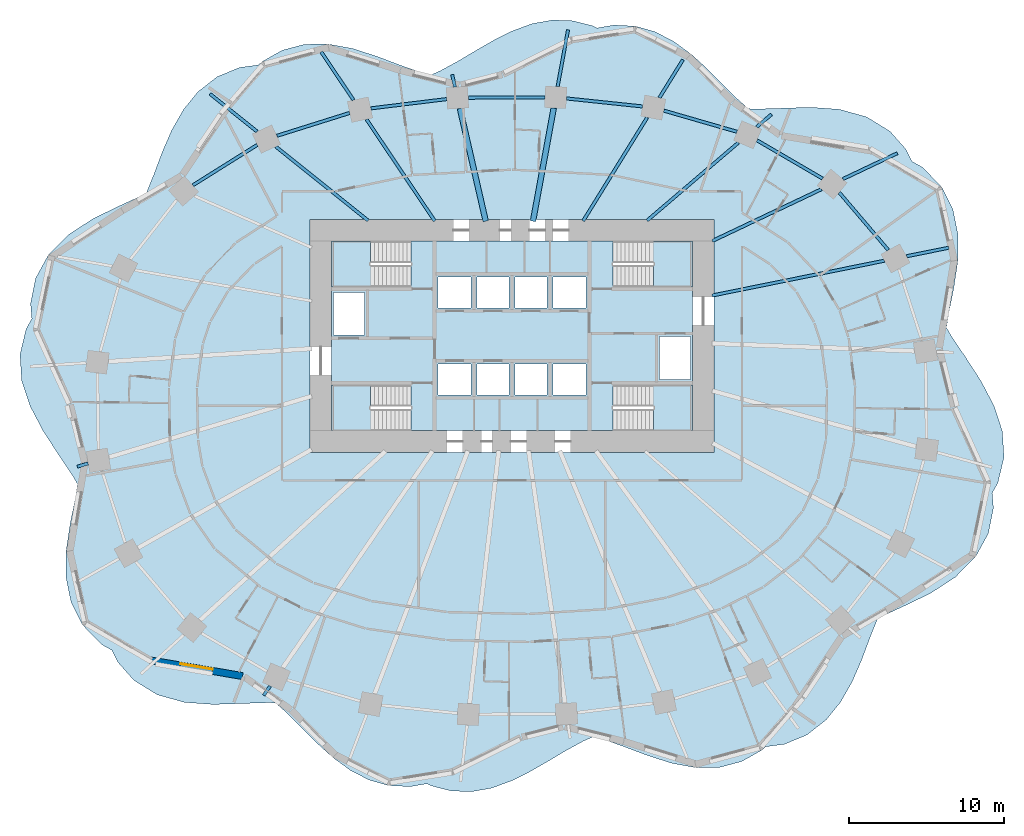
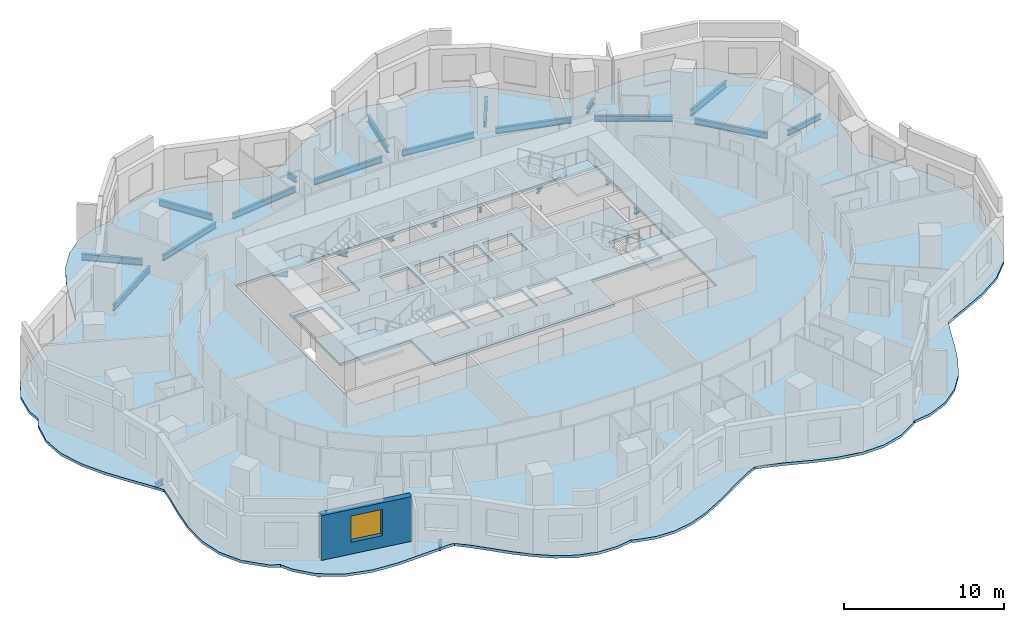
# One storey, part 2 of 11: 26 beams, 6 slabs, 1 wall, 1 window, 1 opening, 4 elements without a shape of their own.
"""IFC4 building model written with IfcOpenShell, lengths in metres."""

import ifcopenshell
import ifcopenshell.guid

model = None  # the IFC model being written
_history = None  # IfcOwnerHistory: only IFC2X3 demands one
_inside = {}  # id of a spatial element -> (the spatial element, [elements in it])
_under = {}  # id of a project, library or spatial element -> (it, [spatial elements below it])
_declared = {}  # id of a project -> (the project, [libraries it declares])
_typed = {}  # id of a type object -> (the type object, [elements of that type])
_made_of = {}  # id of a material, layer set ... -> (it, [elements and type objects made of it])


def new_model(schema):
    """Start an empty IFC model of exactly this schema.

    Asked for "IFC4X3", IfcOpenShell would pick the latest addendum, in which some entities
    have other attributes; the version numbers below select the first issue.
    IFC2X3 requires an IfcOwnerHistory on every rooted entity: one is made here for all.
    """
    global model, _history
    if schema == "IFC4X3":
        model = ifcopenshell.file(schema_version=(4, 3, 0, 0))
    else:
        model = ifcopenshell.file(schema=schema)
    _inside.clear()
    _under.clear()
    _declared.clear()
    _typed.clear()
    _made_of.clear()
    _history = None
    if model.schema == "IFC2X3":
        org = make("IfcOrganization", Name="unknown")
        user = make(
            "IfcPersonAndOrganization",
            ThePerson=make("IfcPerson", FamilyName="unknown"),
            TheOrganization=org,
        )
        app = make(
            "IfcApplication",
            ApplicationDeveloper=org,
            Version="unknown",
            ApplicationFullName="unknown",
            ApplicationIdentifier="unknown",
        )
        _history = make(
            "IfcOwnerHistory",
            OwningUser=user,
            OwningApplication=app,
            ChangeAction="ADDED",
            CreationDate=0,
        )
    return model


def make(cls, **values):
    """One entity of the class cls with the attributes given. An attribute that is None is left unset."""
    return model.create_entity(
        cls, **{name: value for name, value in values.items() if value is not None}
    )


def rooted(cls, **values):
    """An entity with a GlobalId (a new one), such as an element, a storey or a relation."""
    return make(cls, GlobalId=ifcopenshell.guid.new(), OwnerHistory=_history, **values)


def si_unit(unit_type, name, prefix=None):
    """IfcSIUnit, for example si_unit("LENGTHUNIT", "METRE", prefix="MILLI")."""
    return make("IfcSIUnit", UnitType=unit_type, Prefix=prefix, Name=name)


def assignment(units):
    """IfcUnitAssignment: the units of a project."""
    return None if units is None else make("IfcUnitAssignment", Units=units)


def point(xyz):
    """IfcCartesianPoint."""
    return None if xyz is None else make("IfcCartesianPoint", Coordinates=xyz)


def direction(xyz):
    """IfcDirection."""
    return None if xyz is None else make("IfcDirection", DirectionRatios=xyz)


def frame(location, z_axis=None, x_axis=None):
    """IfcAxis2Placement3D, a coordinate frame: its origin and axes. An axis left out is left unset."""
    return make(
        "IfcAxis2Placement3D",
        Location=point(location),
        Axis=direction(z_axis),
        RefDirection=direction(x_axis),
    )


def frame_2d(location, x_axis=None):
    """IfcAxis2Placement2D, a coordinate frame in the plane: its origin and x axis."""
    return make(
        "IfcAxis2Placement2D", Location=point(location), RefDirection=direction(x_axis)
    )


def origin():
    """The frame at (0, 0, 0) with its axes left unset."""
    return frame((0.0, 0.0, 0.0))


def origin_2d():
    """The frame at (0, 0) in the plane with its x axis left unset."""
    return frame_2d((0.0, 0.0))


def place(relative_to, where):
    """IfcLocalPlacement: puts the frame where relative to a parent placement (None: the world)."""
    return make(
        "IfcLocalPlacement", PlacementRelTo=relative_to, RelativePlacement=where
    )


def context(
    kind, dimensions, precision=None, world=None, true_north=None, identifier=None
):
    """IfcGeometricRepresentationContext, for example the 3D "Model" context."""
    return make(
        "IfcGeometricRepresentationContext",
        ContextIdentifier=identifier,
        ContextType=kind,
        CoordinateSpaceDimension=dimensions,
        Precision=precision,
        WorldCoordinateSystem=world,
        TrueNorth=true_north,
    )


def subcontext(parent, identifier, kind, view, scale=None):
    """IfcGeometricRepresentationSubContext, for example "Body" below "Model"."""
    return make(
        "IfcGeometricRepresentationSubContext",
        ContextIdentifier=identifier,
        ContextType=kind,
        ParentContext=parent,
        TargetScale=scale,
        TargetView=view,
    )


def project(units=None, contexts=None):
    """IfcProject with its units and contexts."""
    return rooted(
        "IfcProject",
        Name="project",
        RepresentationContexts=contexts,
        UnitsInContext=assignment(units),
    )


def spatial(cls, under=None, at=None, **own):
    """A site, building, storey or space (cls), placed at a placement, below another one or the project."""
    s = rooted(cls, ObjectPlacement=at, **own)
    if under is not None:
        _under.setdefault(under.id(), (under, []))[1].append(s)
    return s


def polyline(points):
    """IfcPolyline through the points."""
    return make("IfcPolyline", Points=[point(p) for p in points])


def profile(cls, at=None, kind="AREA", **sizes):
    """A parametric profile (cls). Its sizes go by their IFC names, for example OverallWidth=200.0."""
    return make(cls, ProfileType=kind, Position=at, **sizes)


def rectangle(**sizes):
    """IfcRectangleProfileDef."""
    return profile("IfcRectangleProfileDef", **sizes)


def i_section(**sizes):
    """IfcIShapeProfileDef."""
    return profile("IfcIShapeProfileDef", **sizes)


def outline(outer, holes=None, kind="AREA"):
    """IfcArbitraryClosedProfileDef: a profile drawn as a closed curve; with holes, ...WithVoids."""
    if holes is None:
        return make("IfcArbitraryClosedProfileDef", ProfileType=kind, OuterCurve=outer)
    return make(
        "IfcArbitraryProfileDefWithVoids",
        ProfileType=kind,
        OuterCurve=outer,
        InnerCurves=holes,
    )


def extrude(swept, where, along, depth):
    """IfcExtrudedAreaSolid: the profile swept, set in the frame where, extruded along a direction by depth."""
    return make(
        "IfcExtrudedAreaSolid",
        SweptArea=swept,
        Position=where,
        ExtrudedDirection=direction(along),
        Depth=depth,
    )


def shape(context_of_items, identifier, shape_type, items):
    """IfcShapeRepresentation: the items that make up one representation, for example the "Body"."""
    return make(
        "IfcShapeRepresentation",
        ContextOfItems=context_of_items,
        RepresentationIdentifier=identifier,
        RepresentationType=shape_type,
        Items=items,
    )


def material(Name=None, Category=None):
    """IfcMaterial."""
    return make("IfcMaterial", Name=Name, Category=Category)


def layer(
    of_material, thickness, ventilated=None, Name=None, Category=None, Priority=None
):
    """IfcMaterialLayer: one layer of a wall or slab, of a material (None: an air gap)."""
    return make(
        "IfcMaterialLayer",
        Material=of_material,
        LayerThickness=thickness,
        IsVentilated=ventilated,
        Name=Name,
        Category=Category,
        Priority=Priority,
    )


def layer_set(layers, Name=None):
    """IfcMaterialLayerSet."""
    return make("IfcMaterialLayerSet", MaterialLayers=layers, LayerSetName=Name)


def material_profile(
    of_material, cross_section, Name=None, Category=None, Priority=None
):
    """IfcMaterialProfile: a cross section and its material."""
    return make(
        "IfcMaterialProfile",
        Name=Name,
        Material=of_material,
        Profile=cross_section,
        Priority=Priority,
        Category=Category,
    )


def profile_set(profiles, Name=None, composite=None):
    """IfcMaterialProfileSet."""
    return make(
        "IfcMaterialProfileSet",
        Name=Name,
        MaterialProfiles=profiles,
        CompositeProfile=composite,
    )


def made_of(thing, what):
    """Note that an element or type object is made of a material, layer set ...; save() writes the relation."""
    if what is not None:
        _made_of.setdefault(what.id(), (what, []))[1].append(thing)
    return thing


def type_object(cls, material=None, **own):
    """A type object (cls), such as IfcWallType, which elements share."""
    return made_of(rooted(cls, **own), material)


def element(
    cls,
    number,
    at=None,
    inside=None,
    cuts=None,
    type_object=None,
    material=None,
    context=None,
    identifier="Body",
    shape_type=None,
    held_by="IfcProductDefinitionShape",
    body=None,
    shapes=None,
    **own,
):
    """One element of the class cls, such as IfcWall. Its Tag is "e" and its number.

    at: its placement. inside: the storey or other place that contains it. cuts: it is an
    opening in that element (IfcRelVoidsElement). A single representation is given by context,
    identifier, shape_type and body (its items); several are given by shapes. held_by: the class
    of the entity that holds the representations. save() writes the other relations.
    """
    e = rooted(cls, Tag="e%d" % number, ObjectPlacement=at, **own)
    if body is not None:
        shapes = [shape(context, identifier, shape_type, body)]
    if shapes is not None:
        e.Representation = make(held_by, Representations=shapes)
    if inside is not None:
        _inside.setdefault(inside.id(), (inside, []))[1].append(e)
    if cuts is not None:
        rooted(
            "IfcRelVoidsElement", RelatingBuildingElement=cuts, RelatedOpeningElement=e
        )
    if type_object is not None:
        _typed.setdefault(type_object.id(), (type_object, []))[1].append(e)
    return made_of(e, material)


def fill(opening, filler):
    """IfcRelFillsElement: the door or window that sits in an opening."""
    return rooted(
        "IfcRelFillsElement",
        RelatingOpeningElement=opening,
        RelatedBuildingElement=filler,
    )


def aggregate(whole, parts):
    """IfcRelAggregates: a whole, such as a stair, and the parts it consists of."""
    return rooted("IfcRelAggregates", RelatingObject=whole, RelatedObjects=parts)


def save(model, path):
    """Write the relations noted so far, then the file.

    IfcRelAggregates (storeys below a building ...), IfcRelContainedInSpatialStructure (elements
    in a storey), IfcRelDefinesByType, IfcRelAssociatesMaterial and IfcRelDeclares: one each for
    every whole, place, type object, material and project.
    """
    for whole, parts in _under.values():
        aggregate(whole, parts)
    for where, things in _inside.values():
        rooted(
            "IfcRelContainedInSpatialStructure",
            RelatedElements=things,
            RelatingStructure=where,
        )
    for kind, things in _typed.values():
        rooted("IfcRelDefinesByType", RelatedObjects=things, RelatingType=kind)
    for what, things in _made_of.values():
        rooted("IfcRelAssociatesMaterial", RelatedObjects=things, RelatingMaterial=what)
    for by, libraries in _declared.values():
        rooted("IfcRelDeclares", RelatingContext=by, RelatedDefinitions=libraries)
    model.write(path)


model = new_model("IFC4")

# Units and contexts
model_context = context("Model", 3, precision=1e-05, world=origin(), true_north=direction((0.0, 1.0)))
body_context = subcontext(model_context, "Body", "Model", "MODEL_VIEW")
ifc_project = project(units=[si_unit("LENGTHUNIT", "METRE"), si_unit("AREAUNIT", "SQUARE_METRE"), si_unit("VOLUMEUNIT", "CUBIC_METRE"), si_unit("PLANEANGLEUNIT", "RADIAN"), si_unit("MASSUNIT", "GRAM", prefix="KILO")], contexts=[model_context])

# Site, building, storey
site_placement = place(None, origin())
site = spatial("IfcSite", under=ifc_project, at=site_placement, CompositionType="ELEMENT")
building_placement = place(site_placement, origin())
building = spatial("IfcBuilding", under=site, at=building_placement, Name="Rubra Terraces Tower", CompositionType="ELEMENT")
storey_placement = place(building_placement, frame((0.0, 0.0, 66.300048828125)))
storey = spatial("IfcBuildingStorey", under=building, at=storey_placement, Name="L14", CompositionType="ELEMENT", Elevation=66.300048828125)

# Beams
ifc_material_1 = material(Name="Steel Q355B", Category="steel")
ifc_material_profile_1 = material_profile(ifc_material_1, i_section(OverallWidth=0.199951171875, OverallDepth=0.39990234375, WebThickness=0.008056640625, FlangeThickness=0.012939453125, at=origin_2d()), Name="HN 400x200x8x13")
ifc_profile_set_1 = profile_set([ifc_material_profile_1], Name="Steel Q355B")
beam_type_1 = type_object("IfcBeamType", Name="CANTILEVER BEAM HN 400x200x8x13", PredefinedType="BEAM", material=ifc_profile_set_1)
beam_1_placement = place(storey_placement, frame((25.39599609375, 9.6279296875, -0.400146484375), z_axis=(0.980181580979, 0.198101156761, 0.0), x_axis=(-0.198101156761, 0.980181580979, 0.0)))
element("IfcBeam", 1, at=beam_1_placement, inside=storey, type_object=beam_type_1, Name="beam-L14-cant-02", PredefinedType="BEAM", context=body_context, shape_type="SweptSolid", body=[
    extrude(i_section(OverallWidth=0.199951171875, OverallDepth=0.39990234375, WebThickness=0.008056640625, FlangeThickness=0.012939453125, at=origin_2d()), origin(), (0.0, 0.0, 1.0), 2.766845703125),
])
beam_2_placement = place(storey_placement, frame((9.488037109375, 19.827880859375, -0.400146484375), z_axis=(0.526185063257, 0.850370083673, 0.0), x_axis=(-0.850370083673, 0.526185063257, 0.0)))
element("IfcBeam", 2, at=beam_2_placement, inside=storey, type_object=beam_type_1, Name="beam-L14-cant-05", PredefinedType="BEAM", context=body_context, shape_type="SweptSolid", body=[
    extrude(i_section(OverallWidth=0.199951171875, OverallDepth=0.39990234375, WebThickness=0.008056640625, FlangeThickness=0.012939453125, at=origin_2d()), origin(), (0.0, 0.0, 1.0), 2.875244140625),
])
ifc_material_profile_2 = material_profile(ifc_material_1, i_section(OverallWidth=0.198974609375, OverallDepth=0.49609375, WebThickness=0.009033203125, FlangeThickness=0.013916015625, at=origin_2d()), Name="HN 496x199x9x14")
ifc_profile_set_2 = profile_set([ifc_material_profile_2], Name="Steel Q355B")
beam_type_2 = type_object("IfcBeamType", Name="CANTILEVER BEAM HN 496x199x9x14", PredefinedType="BEAM", material=ifc_profile_set_2)
beam_3_placement = place(storey_placement, frame((21.2958984375, 14.595947265625, -0.447998046875), z_axis=(0.903605833067, 0.428364912717, 0.0), x_axis=(-0.428364912717, 0.903605833067, 0.0)))
element("IfcBeam", 3, at=beam_3_placement, inside=storey, type_object=beam_type_2, Name="beam-L14-cant-03", PredefinedType="BEAM", context=body_context, shape_type="SweptSolid", body=[
    extrude(i_section(OverallWidth=0.198974609375, OverallDepth=0.49609375, WebThickness=0.009033203125, FlangeThickness=0.013916015625, at=origin_2d()), origin(), (0.0, 0.0, 1.0), 3.880126953125),
])
beam_4_placement = place(storey_placement, frame((2.93798828125, 20.549072265625, -0.447998046875), z_axis=(0.180160105154, 0.983637299268, 0.0), x_axis=(-0.983637299268, 0.180160105154, 0.0)))
element("IfcBeam", 4, at=beam_4_placement, inside=storey, type_object=beam_type_2, Name="beam-L14-cant-06", PredefinedType="BEAM", context=body_context, shape_type="SweptSolid", body=[
    extrude(i_section(OverallWidth=0.198974609375, OverallDepth=0.49609375, WebThickness=0.009033203125, FlangeThickness=0.013916015625, at=origin_2d()), origin(), (0.0, 0.0, 1.0), 3.70751953125),
])
beam_5_placement = place(storey_placement, frame((-10.199951171875, 19.68310546875, -0.447998046875), z_axis=(-0.557568984544, 0.830130608684, 0.0), x_axis=(-0.830130608684, -0.557568984544, 0.0)))
element("IfcBeam", 5, at=beam_5_placement, inside=storey, type_object=beam_type_2, Name="beam-L14-cant-08", PredefinedType="BEAM", context=body_context, shape_type="SweptSolid", body=[
    extrude(i_section(OverallWidth=0.198974609375, OverallDepth=0.49609375, WebThickness=0.009033203125, FlangeThickness=0.013916015625, at=origin_2d()), origin(), (0.0, 0.0, 1.0), 3.72705078125),
])
beam_6_placement = place(storey_placement, frame((-16.408935546875, 17.654052734375, -0.447998046875), z_axis=(-0.780303082646, 0.625401550376, 0.0), x_axis=(-0.625401550376, -0.780303082646, 0.0)))
element("IfcBeam", 6, at=beam_6_placement, inside=storey, type_object=beam_type_2, Name="beam-L14-cant-09", PredefinedType="BEAM", context=body_context, shape_type="SweptSolid", body=[
    extrude(i_section(OverallWidth=0.198974609375, OverallDepth=0.49609375, WebThickness=0.009033203125, FlangeThickness=0.013916015625, at=origin_2d()), origin(), (0.0, 0.0, 1.0), 3.875732421875),
])
ifc_material_profile_3 = material_profile(ifc_material_1, i_section(OverallWidth=0.199951171875, OverallDepth=0.39990234375, WebThickness=0.008056640625, FlangeThickness=0.012939453125, at=origin_2d()), Name="HN 400x200x8x13")
ifc_profile_set_3 = profile_set([ifc_material_profile_3], Name="Steel Q355B")
beam_type_3 = type_object("IfcBeamType", Name="CANTILEVER STUB HN 400x200x8x13", PredefinedType="BEAM", material=ifc_profile_set_3)
beam_7_placement = place(storey_placement, frame((15.7509765625, 17.947998046875, -0.400146484375), z_axis=(0.760363583826, 0.649497667733, 0.0), x_axis=(-0.649497667733, 0.760363583826, 0.0)))
element("IfcBeam", 7, at=beam_7_placement, inside=storey, type_object=beam_type_3, Name="beam-L14-cant-04", PredefinedType="BEAM", context=body_context, shape_type="SweptSolid", body=[
    extrude(i_section(OverallWidth=0.199951171875, OverallDepth=0.39990234375, WebThickness=0.008056640625, FlangeThickness=0.012939453125, at=origin_2d()), origin(), (0.0, 0.0, 1.0), 1.244140625),
])
beam_8_placement = place(storey_placement, frame((-3.6669921875, 20.514892578125, -0.400146484375), z_axis=(-0.223130131907, 0.974788666448, 0.0), x_axis=(-0.974788666448, -0.223130131907, 0.0)))
element("IfcBeam", 8, at=beam_8_placement, inside=storey, type_object=beam_type_3, Name="beam-L14-cant-07", PredefinedType="BEAM", context=body_context, shape_type="SweptSolid", body=[
    extrude(i_section(OverallWidth=0.199951171875, OverallDepth=0.39990234375, WebThickness=0.008056640625, FlangeThickness=0.012939453125, at=origin_2d()), origin(), (0.0, 0.0, 1.0), 0.824951171875),
])
beam_9_placement = place(storey_placement, frame((-27.281005859375, -3.7060546875, -0.400146484375), z_axis=(-0.957469690609, -0.288533865542, 0.0), x_axis=(0.288533865542, -0.957469690609, 0.0)))
element("IfcBeam", 9, at=beam_9_placement, inside=storey, type_object=beam_type_3, Name="beam-L14-cant-13", PredefinedType="BEAM", context=body_context, shape_type="SweptSolid", body=[
    extrude(i_section(OverallWidth=0.199951171875, OverallDepth=0.39990234375, WebThickness=0.008056640625, FlangeThickness=0.012939453125, at=origin_2d()), origin(), (0.0, 0.0, 1.0), 0.717529296875),
])
beam_10_placement = place(storey_placement, frame((-15.56298828125, -18.029052734375, -0.400146484375), z_axis=(-0.568771862846, -0.822495330099, 0.0), x_axis=(0.822495330099, -0.568771862846, 0.0)))
element("IfcBeam", 10, at=beam_10_placement, inside=storey, type_object=beam_type_3, Name="beam-L14-cant-16", PredefinedType="BEAM", context=body_context, shape_type="SweptSolid", body=[
    extrude(i_section(OverallWidth=0.199951171875, OverallDepth=0.39990234375, WebThickness=0.008056640625, FlangeThickness=0.012939453125, at=origin_2d()), origin(), (0.0, 0.0, 1.0), 0.724609375),
])
ifc_material_profile_4 = material_profile(ifc_material_1, i_section(OverallWidth=0.199951171875, OverallDepth=0.39990234375, WebThickness=0.008056640625, FlangeThickness=0.012939453125, at=origin_2d()), Name="HN 400x200x8x13")
ifc_profile_set_4 = profile_set([ifc_material_profile_4], Name="Steel Q355B")
beam_type_4 = type_object("IfcBeamType", Name="FLOOR BEAM HN 400x200x8x13", PredefinedType="BEAM", material=ifc_profile_set_4)
beam_11_placement = place(storey_placement, frame((19.904052734375, 13.93603515625, -0.400146484375), z_axis=(-0.903612237836, -0.428351402045, 0.0), x_axis=(0.428351402045, -0.903612237836, 0.0)))
element("IfcBeam", 11, at=beam_11_placement, inside=storey, type_object=beam_type_4, Name="beam-L14-floor-03", PredefinedType="BEAM", context=body_context, shape_type="SweptSolid", body=[
    extrude(i_section(OverallWidth=0.199951171875, OverallDepth=0.39990234375, WebThickness=0.008056640625, FlangeThickness=0.012939453125, at=origin_2d()), origin(), (0.0, 0.0, 1.0), 7.760009765625),
])
beam_12_placement = place(storey_placement, frame((14.56298828125, 16.93408203125, -0.400146484375), z_axis=(-0.760494401061, -0.649344489431, 0.0), x_axis=(0.649344489431, -0.760494401061, 0.0)))
element("IfcBeam", 12, at=beam_12_placement, inside=storey, type_object=beam_type_4, Name="beam-L14-floor-04", PredefinedType="BEAM", context=body_context, shape_type="SweptSolid", body=[
    extrude(i_section(OverallWidth=0.199951171875, OverallDepth=0.39990234375, WebThickness=0.008056640625, FlangeThickness=0.012939453125, at=origin_2d()), origin(), (0.0, 0.0, 1.0), 7.718505859375),
])
beam_13_placement = place(storey_placement, frame((8.699951171875, 18.555908203125, -0.400146484375), z_axis=(-0.526285914839, -0.850307671283, 0.0), x_axis=(0.850307671283, -0.526285914839, 0.0)))
element("IfcBeam", 13, at=beam_13_placement, inside=storey, type_object=beam_type_4, Name="beam-L14-floor-05", PredefinedType="BEAM", context=body_context, shape_type="SweptSolid", body=[
    extrude(i_section(OverallWidth=0.199951171875, OverallDepth=0.39990234375, WebThickness=0.008056640625, FlangeThickness=0.012939453125, at=origin_2d()), origin(), (0.0, 0.0, 1.0), 7.830078125),
])
beam_14_placement = place(storey_placement, frame((-9.360107421875, 18.43310546875, -0.400146484375), z_axis=(0.557574689395, -0.830126776912, 0.0), x_axis=(0.830126776912, 0.557574689395, 0.0)))
element("IfcBeam", 14, at=beam_14_placement, inside=storey, type_object=beam_type_4, Name="beam-L14-floor-08", PredefinedType="BEAM", context=body_context, shape_type="SweptSolid", body=[
    extrude(i_section(OverallWidth=0.199951171875, OverallDepth=0.39990234375, WebThickness=0.008056640625, FlangeThickness=0.012939453125, at=origin_2d()), origin(), (0.0, 0.0, 1.0), 7.8701171875),
])
beam_15_placement = place(storey_placement, frame((-15.18896484375, 16.676025390625, -0.400146484375), z_axis=(0.780266406942, -0.625447307291, 0.0), x_axis=(0.625447307291, 0.780266406942, 0.0)))
element("IfcBeam", 15, at=beam_15_placement, inside=storey, type_object=beam_type_4, Name="beam-L14-floor-09", PredefinedType="BEAM", context=body_context, shape_type="SweptSolid", body=[
    extrude(i_section(OverallWidth=0.199951171875, OverallDepth=0.39990234375, WebThickness=0.008056640625, FlangeThickness=0.012939453125, at=origin_2d()), origin(), (0.0, 0.0, 1.0), 7.59619140625),
])
ifc_material_profile_5 = material_profile(ifc_material_1, i_section(OverallWidth=0.198974609375, OverallDepth=0.49609375, WebThickness=0.009033203125, FlangeThickness=0.013916015625, at=origin_2d()), Name="HN 496x199x9x14")
ifc_profile_set_5 = profile_set([ifc_material_profile_5], Name="Steel Q355B")
beam_type_5 = type_object("IfcBeamType", Name="FLOOR BEAM HN 496x199x9x14", PredefinedType="BEAM", material=ifc_profile_set_5)
beam_16_placement = place(storey_placement, frame((23.9560546875, 9.337890625, -0.447998046875), z_axis=(-0.980204035637, -0.197990021264, 0.0), x_axis=(0.197990021264, -0.980204035637, 0.0)))
element("IfcBeam", 16, at=beam_16_placement, inside=storey, type_object=beam_type_5, Name="beam-L14-floor-02", PredefinedType="BEAM", context=body_context, shape_type="SweptSolid", body=[
    extrude(i_section(OverallWidth=0.198974609375, OverallDepth=0.49609375, WebThickness=0.009033203125, FlangeThickness=0.013916015625, at=origin_2d()), origin(), (0.0, 0.0, 1.0), 11.297607421875),
])
ifc_material_profile_6 = material_profile(ifc_material_1, i_section(OverallWidth=0.35009765625, OverallDepth=0.35009765625, WebThickness=0.011962890625, FlangeThickness=0.01904296875, at=origin_2d()), Name="HW 350x350x12x19")
ifc_profile_set_6 = profile_set([ifc_material_profile_6], Name="Steel Q355B")
beam_type_6 = type_object("IfcBeamType", Name="FLOOR BEAM HW 350x350x12x19", PredefinedType="BEAM", material=ifc_profile_set_6)
beam_17_placement = place(storey_placement, frame((2.68408203125, 19.158935546875, -0.375), z_axis=(-0.180186319425, -0.983632497578, 0.0), x_axis=(0.983632497578, -0.180186319425, 0.0)))
element("IfcBeam", 17, at=beam_17_placement, inside=storey, type_object=beam_type_6, Name="beam-L14-floor-06", PredefinedType="BEAM", context=body_context, shape_type="SweptSolid", body=[
    extrude(i_section(OverallWidth=0.35009765625, OverallDepth=0.35009765625, WebThickness=0.011962890625, FlangeThickness=0.01904296875, at=origin_2d()), origin(), (0.0, 0.0, 1.0), 7.39794921875),
])
beam_18_placement = place(storey_placement, frame((-3.35107421875, 19.133056640625, -0.375), z_axis=(0.223209821828, -0.974770421914, 0.0), x_axis=(0.974770421914, 0.223209821828, 0.0)))
element("IfcBeam", 18, at=beam_18_placement, inside=storey, type_object=beam_type_6, Name="beam-L14-floor-07", PredefinedType="BEAM", context=body_context, shape_type="SweptSolid", body=[
    extrude(i_section(OverallWidth=0.35009765625, OverallDepth=0.35009765625, WebThickness=0.011962890625, FlangeThickness=0.01904296875, at=origin_2d()), origin(), (0.0, 0.0, 1.0), 7.437744140625),
])
ifc_material_profile_7 = material_profile(ifc_material_1, i_section(OverallWidth=0.198974609375, OverallDepth=0.446044921875, WebThickness=0.008056640625, FlangeThickness=0.011962890625, at=origin_2d()), Name="HN 446x199x8x12")
ifc_profile_set_7 = profile_set([ifc_material_profile_7], Name="Steel Q355B")
beam_type_7 = type_object("IfcBeamType", Name="SPANDREL BEAM HN 446x199x8x12", PredefinedType="SPANDREL", material=ifc_profile_set_7)
beam_19_placement = place(storey_placement, frame((24.212890625, 10.02587890625, -0.423095703125), z_axis=(-0.648447050824, 0.761259760054, 0.0), x_axis=(-0.761259760054, -0.648447050824, 0.0)))
element("IfcBeam", 19, at=beam_19_placement, inside=storey, type_object=beam_type_7, Name="beam-L14-spandrel-02", PredefinedType="SPANDREL", context=body_context, shape_type="SweptSolid", body=[
    extrude(i_section(OverallWidth=0.198974609375, OverallDepth=0.446044921875, WebThickness=0.008056640625, FlangeThickness=0.011962890625, at=origin_2d()), origin(), (0.0, 0.0, 1.0), 4.860595703125),
])
beam_20_placement = place(storey_placement, frame((19.987060546875, 14.6240234375, -0.423095703125), z_axis=(-0.863806081452, 0.503824427402, 0.0), x_axis=(-0.503824427402, -0.863806081452, 0.0)))
element("IfcBeam", 20, at=beam_20_placement, inside=storey, type_object=beam_type_7, Name="beam-L14-spandrel-03", PredefinedType="SPANDREL", context=body_context, shape_type="SweptSolid", body=[
    extrude(i_section(OverallWidth=0.198974609375, OverallDepth=0.446044921875, WebThickness=0.008056640625, FlangeThickness=0.011962890625, at=origin_2d()), origin(), (0.0, 0.0, 1.0), 4.886474609375),
])
beam_21_placement = place(storey_placement, frame((14.47900390625, 17.636962890625, -0.423095703125), z_axis=(-0.960743980202, 0.277436487337, 0.0), x_axis=(-0.277436487337, -0.960743980202, 0.0)))
element("IfcBeam", 21, at=beam_21_placement, inside=storey, type_object=beam_type_7, Name="beam-L14-spandrel-04", PredefinedType="SPANDREL", context=body_context, shape_type="SweptSolid", body=[
    extrude(i_section(OverallWidth=0.198974609375, OverallDepth=0.446044921875, WebThickness=0.008056640625, FlangeThickness=0.011962890625, at=origin_2d()), origin(), (0.0, 0.0, 1.0), 4.90234375),
])
beam_22_placement = place(storey_placement, frame((8.39501953125, 19.26611328125, -0.423095703125), z_axis=(-0.994495375694, 0.104780473964, 0.0), x_axis=(-0.104780473964, -0.994495375694, 0.0)))
element("IfcBeam", 22, at=beam_22_placement, inside=storey, type_object=beam_type_7, Name="beam-L14-spandrel-05", PredefinedType="SPANDREL", context=body_context, shape_type="SweptSolid", body=[
    extrude(i_section(OverallWidth=0.198974609375, OverallDepth=0.446044921875, WebThickness=0.008056640625, FlangeThickness=0.011962890625, at=origin_2d()), origin(), (0.0, 0.0, 1.0), 4.9140625),
])
beam_23_placement = place(storey_placement, frame((2.110107421875, 19.85107421875, -0.423095703125), z_axis=(-0.999987924698, -0.004914311469, 0.0), x_axis=(0.004914311469, -0.999987924698, 0.0)))
element("IfcBeam", 23, at=beam_23_placement, inside=storey, type_object=beam_type_7, Name="beam-L14-spandrel-06", PredefinedType="SPANDREL", context=body_context, shape_type="SweptSolid", body=[
    extrude(i_section(OverallWidth=0.198974609375, OverallDepth=0.446044921875, WebThickness=0.008056640625, FlangeThickness=0.011962890625, at=origin_2d()), origin(), (0.0, 0.0, 1.0), 4.918212890625),
])
beam_24_placement = place(storey_placement, frame((-4.205078125, 19.739013671875, -0.423095703125), z_axis=(-0.992616576014, -0.12129440639, 0.0), x_axis=(0.12129440639, -0.992616576014, 0.0)))
element("IfcBeam", 24, at=beam_24_placement, inside=storey, type_object=beam_type_7, Name="beam-L14-spandrel-07", PredefinedType="SPANDREL", context=body_context, shape_type="SweptSolid", body=[
    extrude(i_section(OverallWidth=0.198974609375, OverallDepth=0.446044921875, WebThickness=0.008056640625, FlangeThickness=0.011962890625, at=origin_2d()), origin(), (0.0, 0.0, 1.0), 4.913330078125),
])
beam_25_placement = place(storey_placement, frame((-10.450927734375, 18.846923828125, -0.423095703125), z_axis=(-0.953954624663, -0.299950952796, 0.0), x_axis=(0.299950952796, -0.953954624663, 0.0)))
element("IfcBeam", 25, at=beam_25_placement, inside=storey, type_object=beam_type_7, Name="beam-L14-spandrel-08", PredefinedType="SPANDREL", context=body_context, shape_type="SweptSolid", body=[
    extrude(i_section(OverallWidth=0.198974609375, OverallDepth=0.446044921875, WebThickness=0.008056640625, FlangeThickness=0.011962890625, at=origin_2d()), origin(), (0.0, 0.0, 1.0), 4.900634765625),
])
beam_26_placement = place(storey_placement, frame((-16.39697265625, 16.7900390625, -0.423095703125), z_axis=(-0.847078460197, -0.531467856291, 0.0), x_axis=(0.531467856291, -0.847078460197, 0.0)))
element("IfcBeam", 26, at=beam_26_placement, inside=storey, type_object=beam_type_7, Name="beam-L14-spandrel-09", PredefinedType="SPANDREL", context=body_context, shape_type="SweptSolid", body=[
    extrude(i_section(OverallWidth=0.198974609375, OverallDepth=0.446044921875, WebThickness=0.008056640625, FlangeThickness=0.011962890625, at=origin_2d()), origin(), (0.0, 0.0, 1.0), 4.882568359375),
])

# Slab
ifc_material_2 = material(Name="Concrete C40", Category="concrete")
ifc_layer_1 = layer(ifc_material_2, 0.199951171875)
ifc_layer_set_1 = layer_set([ifc_layer_1], Name="Concrete C40")
slab_type_1 = type_object("IfcSlabType", Name="Core floor slab 200 concrete", PredefinedType="FLOOR", material=ifc_layer_set_1)
slab_1_placement = place(storey_placement, frame((0.0, 0.0, -0.199951171875)))
element("IfcSlab", 27, at=slab_1_placement, inside=storey, type_object=slab_type_1, Name="CORE FLOOR SLAB L14", PredefinedType="FLOOR", context=body_context, shape_type="SweptSolid", body=[
    extrude(outline(polyline([(-11.60009765625, 1.347900390625), (-11.60009765625, 7.652099609375), (-6.501953125, 7.652099609375), (-6.501953125, 10.60009765625), (6.501953125, 10.60009765625), (6.501953125, 7.652099609375), (11.60009765625, 7.652099609375), (11.60009765625, 1.347900390625), (6.501953125, 1.347900390625), (6.501953125, -1.60009765625), (-6.501953125, -1.60009765625), (-6.501953125, 1.347900390625), (-11.60009765625, 1.347900390625)]), holes=[polyline([(9.5, 1.699951171875), (11.5, 1.699951171875), (11.5, 4.449951171875), (9.5, 4.449951171875), (9.5, 1.699951171875)]), polyline([(4.75, 0.699951171875), (4.75, 2.699951171875), (2.64990234375, 2.699951171875), (2.64990234375, 0.699951171875), (4.75, 0.699951171875)]), polyline([(4.75, 6.300048828125), (4.75, 8.300048828125), (2.64990234375, 8.300048828125), (2.64990234375, 6.300048828125), (4.75, 6.300048828125)]), polyline([(2.25, 0.699951171875), (2.25, 2.699951171875), (0.199951171875, 2.699951171875), (0.199951171875, 0.699951171875), (2.25, 0.699951171875)]), polyline([(2.25, 6.300048828125), (2.25, 8.300048828125), (0.199951171875, 8.300048828125), (0.199951171875, 6.300048828125), (2.25, 6.300048828125)]), polyline([(-0.199951171875, 0.699951171875), (-0.199951171875, 2.699951171875), (-2.25, 2.699951171875), (-2.25, 0.699951171875), (-0.199951171875, 0.699951171875)]), polyline([(-0.199951171875, 6.300048828125), (-0.199951171875, 8.300048828125), (-2.25, 8.300048828125), (-2.25, 6.300048828125), (-0.199951171875, 6.300048828125)]), polyline([(-2.64990234375, 0.699951171875), (-2.64990234375, 2.699951171875), (-4.75, 2.699951171875), (-4.75, 0.699951171875), (-2.64990234375, 0.699951171875)]), polyline([(-2.64990234375, 8.300048828125), (-4.75, 8.300048828125), (-4.75, 6.300048828125), (-2.64990234375, 6.300048828125), (-2.64990234375, 8.300048828125)]), polyline([(-9.5, 7.300048828125), (-11.5, 7.300048828125), (-11.5, 4.550048828125), (-9.5, 4.550048828125), (-9.5, 7.300048828125)])]), origin(), (0.0, 0.0, 1.0), 0.199951171875),
])

# Stair, slab
stair_type = type_object("IfcStairType", Name="Core stair 1400", PredefinedType="HALF_TURN_STAIR", material=ifc_material_2)
stair_1_placement = place(storey_placement, origin())
stair_1 = element("IfcStair", 28, at=stair_1_placement, inside=storey, type_object=stair_type, Name="L14 Exit stair S1", PredefinedType="HALF_TURN_STAIR")
ifc_layer_2 = layer(ifc_material_2, 0.199951171875)
ifc_layer_set_2 = layer_set([ifc_layer_2], Name="Concrete C40")
slab_type_2 = type_object("IfcSlabType", Name="Core stair landing 200", PredefinedType="LANDING", material=ifc_layer_set_2)
slab_2_placement = place(storey_placement, frame((0.0, 0.0, 1.599853515625)))
slab_2 = element("IfcSlab", 29, at=slab_2_placement, type_object=slab_type_2, Name="S1 landing 1", PredefinedType="LANDING", context=body_context, shape_type="SweptSolid", body=[
    extrude(outline(polyline([(-8.719970703125, -0.199951171875), (-8.719970703125, -1.60009765625), (-9.10009765625, -1.60009765625), (-9.1201171875, -1.60009765625), (-11.60009765625, -1.60009765625), (-11.60009765625, 1.35009765625), (-9.1201171875, 1.35009765625), (-9.097900390625, 1.35009765625), (-9.097900390625, -0.050048828125), (-9.10009765625, -0.050048828125), (-9.10009765625, -0.199951171875), (-8.719970703125, -0.199951171875)])), origin(), (0.0, 0.0, 1.0), 0.2001953125),
])
aggregate(stair_1, [slab_2])

stair_2_placement = place(storey_placement, origin())
stair_2 = element("IfcStair", 30, at=stair_2_placement, inside=storey, type_object=stair_type, Name="L14 Exit stair S2", PredefinedType="HALF_TURN_STAIR")
slab_3_placement = place(storey_placement, frame((0.0, 0.0, 1.599853515625)))
slab_3 = element("IfcSlab", 31, at=slab_3_placement, type_object=slab_type_2, Name="S2 landing 1", PredefinedType="LANDING", context=body_context, shape_type="SweptSolid", body=[
    extrude(outline(polyline([(-8.719970703125, 9.050048828125), (-8.719970703125, 7.64990234375), (-9.1201171875, 7.64990234375), (-11.60009765625, 7.64990234375), (-11.60009765625, 10.60009765625), (-9.1201171875, 10.60009765625), (-9.10009765625, 10.60009765625), (-9.097900390625, 10.60009765625), (-9.097900390625, 9.199951171875), (-9.10009765625, 9.199951171875), (-9.10009765625, 9.050048828125), (-8.719970703125, 9.050048828125)])), origin(), (0.0, 0.0, 1.0), 0.2001953125),
])
aggregate(stair_2, [slab_3])

stair_3_placement = place(storey_placement, origin())
stair_3 = element("IfcStair", 32, at=stair_3_placement, inside=storey, type_object=stair_type, Name="L14 Exit stair S3", PredefinedType="HALF_TURN_STAIR")
slab_4_placement = place(storey_placement, frame((0.0, 0.0, 1.599853515625)))
slab_4 = element("IfcSlab", 33, at=slab_4_placement, type_object=slab_type_2, Name="S3 landing 1", PredefinedType="LANDING", context=body_context, shape_type="SweptSolid", body=[
    extrude(outline(polyline([(9.10009765625, 9.050048828125), (9.10009765625, 9.199951171875), (8.719970703125, 9.199951171875), (8.719970703125, 10.60009765625), (9.10009765625, 10.60009765625), (9.1201171875, 10.60009765625), (11.60009765625, 10.60009765625), (11.60009765625, 7.64990234375), (9.1201171875, 7.64990234375), (9.097900390625, 7.64990234375), (9.097900390625, 9.050048828125), (9.10009765625, 9.050048828125)])), origin(), (0.0, 0.0, 1.0), 0.2001953125),
])
aggregate(stair_3, [slab_4])

stair_4_placement = place(storey_placement, origin())
stair_4 = element("IfcStair", 34, at=stair_4_placement, inside=storey, type_object=stair_type, Name="L14 Exit stair S4", PredefinedType="HALF_TURN_STAIR")
slab_5_placement = place(storey_placement, frame((0.0, 0.0, 1.599853515625)))
slab_5 = element("IfcSlab", 35, at=slab_5_placement, type_object=slab_type_2, Name="S4 landing 1", PredefinedType="LANDING", context=body_context, shape_type="SweptSolid", body=[
    extrude(outline(polyline([(9.10009765625, -0.199951171875), (9.10009765625, -0.050048828125), (8.719970703125, -0.050048828125), (8.719970703125, 1.35009765625), (9.10009765625, 1.35009765625), (9.1201171875, 1.35009765625), (11.60009765625, 1.35009765625), (11.60009765625, -1.60009765625), (9.1201171875, -1.60009765625), (9.10009765625, -1.60009765625), (9.097900390625, -1.60009765625), (9.097900390625, -0.199951171875), (9.10009765625, -0.199951171875)])), origin(), (0.0, 0.0, 1.0), 0.2001953125),
])
aggregate(stair_4, [slab_5])

# Slab
ifc_layer_3 = layer(ifc_material_2, 0.199951171875)
ifc_layer_set_3 = layer_set([ifc_layer_3], Name="Concrete C40")
slab_type_3 = type_object("IfcSlabType", Name="FLOOR SLAB 200 COMPOSITE", PredefinedType="FLOOR", material=ifc_layer_set_3)
slab_6_placement = place(storey_placement, frame((0.0, 0.0, -0.199951171875)))
element("IfcSlab", 36, at=slab_6_placement, inside=storey, type_object=slab_type_3, Name="FLOOR SLAB L14", PredefinedType="FLOOR", context=body_context, shape_type="SweptSolid", body=[
    extrude(outline(polyline([(16.090087890625, -22.14599609375), (16.326904296875, -21.93603515625), (17.5390625, -21.77294921875), (18.971923828125, -21.178955078125), (20.2109375, -20.2109375), (21.14599609375, -19.06005859375), (21.89794921875, -17.738037109375), (22.5, -16.346923828125), (23.052001953125, -14.8720703125), (23.52587890625, -13.69189453125), (22.339111328125, -14.39599609375), (23.69091796875, -13.593994140625), (25.259033203125, -12.8701171875), (26.927001953125, -12.06298828125), (28.52490234375, -11.027099609375), (29.841064453125, -9.696044921875), (30.64990234375, -8.218994140625), (30.97998046875, -6.58203125), (30.89990234375, -5.60595703125), (31.26611328125, -4.951904296875), (31.658935546875, -3.304931640625), (31.553955078125, -1.6279296875), (31.01708984375, 0.0), (30.18896484375, 1.5830078125), (29.218994140625, 3.0830078125), (28.278076171875, 4.47900390625), (27.9609375, 5.033935546875), (27.866943359375, 4.4140625), (28.096923828125, 5.931884765625), (28.430908203125, 7.571044921875), (28.68896484375, 9.322021484375), (28.701904296875, 11.014892578125), (28.3720703125, 12.64111328125), (27.64599609375, 14.0859375), (26.4150390625, 15.35400390625), (24.833984375, 16.23095703125), (25.742919921875, 15.72705078125), (25.35205078125, 16.506103515625), (24.322021484375, 17.6708984375), (22.818115234375, 18.594970703125), (21.070068359375, 19.0810546875), (19.214111328125, 19.214111328125), (17.344970703125, 19.152099609375), (15.5859375, 19.094970703125), (15.199951171875, 19.1279296875), (15.444091796875, 18.908935546875), (14.409912109375, 19.833984375), (13.493896484375, 20.756103515625), (12.541015625, 21.712890625), (11.529052734375, 22.6279296875), (10.39892578125, 23.4560546875), (9.197998046875, 24.075927734375), (7.93896484375, 24.43408203125), (6.554931640625, 24.501953125), (5.47607421875, 24.31591796875), (5.162109375, 24.4599609375), (3.924072265625, 24.778076171875), (2.60888671875, 24.8291015625), (1.2958984375, 24.593994140625), (0.0, 24.116943359375), (-1.18896484375, 23.52099609375), (-2.362060546875, 22.844970703125), (-3.510009765625, 22.1630859375), (-4.60107421875, 21.56689453125), (-5.214111328125, 21.297119140625), (-5.819091796875, 21.444091796875), (-7.113037109375, 21.89306640625), (-8.662109375, 22.47900390625), (-10.257080078125, 22.992919921875), (-11.865966796875, 23.2880859375), (-13.365966796875, 23.261962890625), (-14.7890625, 22.881103515625), (-16.090087890625, 22.14599609375), (-16.326904296875, 21.93603515625), (-17.5390625, 21.77294921875), (-18.971923828125, 21.178955078125), (-20.2109375, 20.2109375), (-21.14599609375, 19.06005859375), (-21.89794921875, 17.738037109375), (-22.5, 16.346923828125), (-23.052001953125, 14.8720703125), (-23.52587890625, 13.69189453125), (-22.339111328125, 14.39599609375), (-23.69091796875, 13.593994140625), (-25.259033203125, 12.8701171875), (-26.927001953125, 12.06298828125), (-28.52490234375, 11.027099609375), (-29.841064453125, 9.696044921875), (-30.64990234375, 8.218994140625), (-30.97998046875, 6.58203125), (-30.89990234375, 5.60595703125), (-31.26611328125, 4.951904296875), (-31.658935546875, 3.304931640625), (-31.553955078125, 1.6279296875), (-31.01708984375, 0.0), (-30.18896484375, -1.5830078125), (-29.218994140625, -3.0830078125), (-28.278076171875, -4.47900390625), (-27.9609375, -5.033935546875), (-27.866943359375, -4.4140625), (-28.096923828125, -5.931884765625), (-28.430908203125, -7.571044921875), (-28.68896484375, -9.322021484375), (-28.701904296875, -11.014892578125), (-28.3720703125, -12.64111328125), (-27.64599609375, -14.0859375), (-26.4150390625, -15.35400390625), (-24.833984375, -16.23095703125), (-25.742919921875, -15.72705078125), (-25.35205078125, -16.506103515625), (-24.322021484375, -17.6708984375), (-22.818115234375, -18.594970703125), (-21.070068359375, -19.0810546875), (-19.214111328125, -19.214111328125), (-17.344970703125, -19.152099609375), (-15.5859375, -19.094970703125), (-15.199951171875, -19.1279296875), (-15.444091796875, -18.908935546875), (-14.409912109375, -19.833984375), (-13.493896484375, -20.756103515625), (-12.541015625, -21.712890625), (-11.529052734375, -22.6279296875), (-10.39892578125, -23.4560546875), (-9.197998046875, -24.075927734375), (-7.93896484375, -24.43408203125), (-6.554931640625, -24.501953125), (-5.47607421875, -24.31591796875), (-5.162109375, -24.4599609375), (-3.924072265625, -24.778076171875), (-2.60888671875, -24.8291015625), (-1.2958984375, -24.593994140625), (0.0, -24.116943359375), (1.18896484375, -23.52099609375), (2.362060546875, -22.844970703125), (3.510009765625, -22.1630859375), (4.60107421875, -21.56689453125), (5.214111328125, -21.297119140625), (5.819091796875, -21.444091796875), (7.113037109375, -21.89306640625), (8.662109375, -22.47900390625), (10.257080078125, -22.992919921875), (11.865966796875, -23.2880859375), (13.365966796875, -23.261962890625), (14.7890625, -22.881103515625), (16.090087890625, -22.14599609375)]), holes=[polyline([(13.0, 12.0), (13.0, -3.0), (-13.0, -3.0), (-13.0, 12.0), (13.0, 12.0)])]), origin(), (0.0, 0.0, 1.0), 0.199951171875),
])

# Wall, opening, window
ifc_material_3 = material(Name="Brick masonry red-brown", Category="masonry")
ifc_layer_4 = layer(ifc_material_3, 0.449951171875)
ifc_layer_set_4 = layer_set([ifc_layer_4], Name="Brick masonry red-brown")
wall_type = type_object("IfcWallType", Name="Brick facade wall 450", PredefinedType="SOLIDWALL", material=ifc_layer_set_4)
wall_placement = place(storey_placement, frame((-23.2841796875, -16.376220703125, 0.0), z_axis=(0.0, 0.0, 1.0), x_axis=(0.985861729428, -0.167560885797, 0.0)))
wall = element("IfcWall", 37, at=wall_placement, inside=storey, type_object=wall_type, Name="Facade wall L14 bay 25", PredefinedType="SOLIDWALL", context=body_context, shape_type="SweptSolid", body=[
    extrude(rectangle(XDim=6.033447265625, YDim=0.449951171875, at=frame_2d((3.0166015625, 0.0))), origin(), (0.0, 0.0, 1.0), 3.39990234375),
])
opening_placement = place(wall_placement, frame((1.966796875, 0.0, 0.89990234375)))
opening = element("IfcOpeningElement", 38, at=opening_placement, cuts=wall, Name="Opening W1", PredefinedType="OPENING", context=body_context, shape_type="SweptSolid", body=[
    extrude(rectangle(XDim=2.10009765625, YDim=2.0, at=frame_2d((1.050048828125, 1.0))), frame((0.0, 0.23486328125, 0.0), z_axis=(0.0, -1.0, 0.0), x_axis=(1.0, 0.0, 0.0)), (0.0, 0.0, 1.0), 0.469970703125),
])
ifc_material_4 = material(Name="Clear glass in aluminium frame", Category="aluminium")
window_type = type_object("IfcWindowType", Name="Fixed deep-set window 2100 x 2000", PartitioningType="SINGLE_PANEL", PredefinedType="WINDOW", material=ifc_material_4)
window_placement = place(opening_placement, origin())
window = element("IfcWindow", 39, at=window_placement, inside=storey, type_object=window_type, Name="Window L14 bay 25", OverallHeight=2.0, OverallWidth=2.10009765625, PartitioningType="SINGLE_PANEL", PredefinedType="WINDOW", context=body_context, shape_type="SweptSolid", body=[
    extrude(rectangle(XDim=2.10009765625, YDim=2.0, at=frame_2d((1.050048828125, 1.0))), frame((0.0, 0.135009765625, 0.0), z_axis=(0.0, -1.0, 0.0), x_axis=(1.0, 0.0, 0.0)), (0.0, 0.0, 1.0), 0.06005859375),
])
fill(opening, window)

save(model, "model.ifc")
